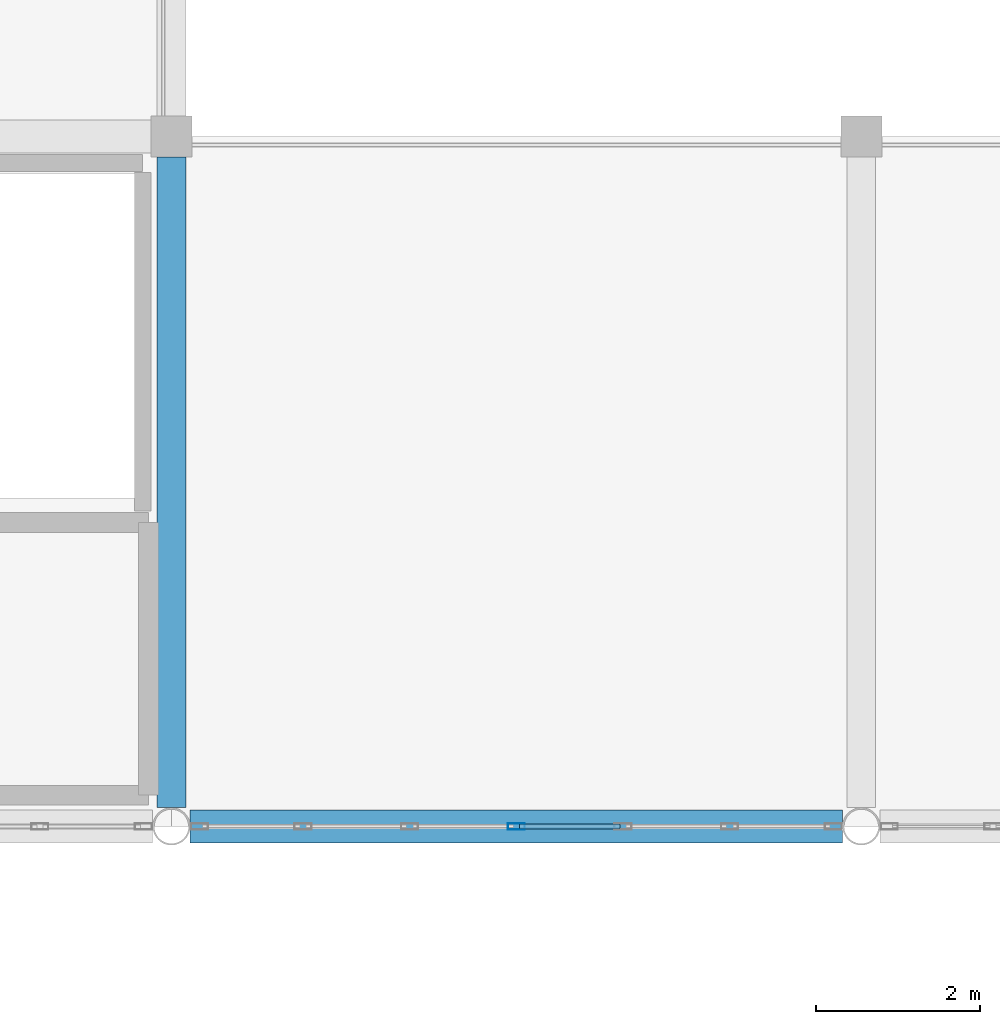
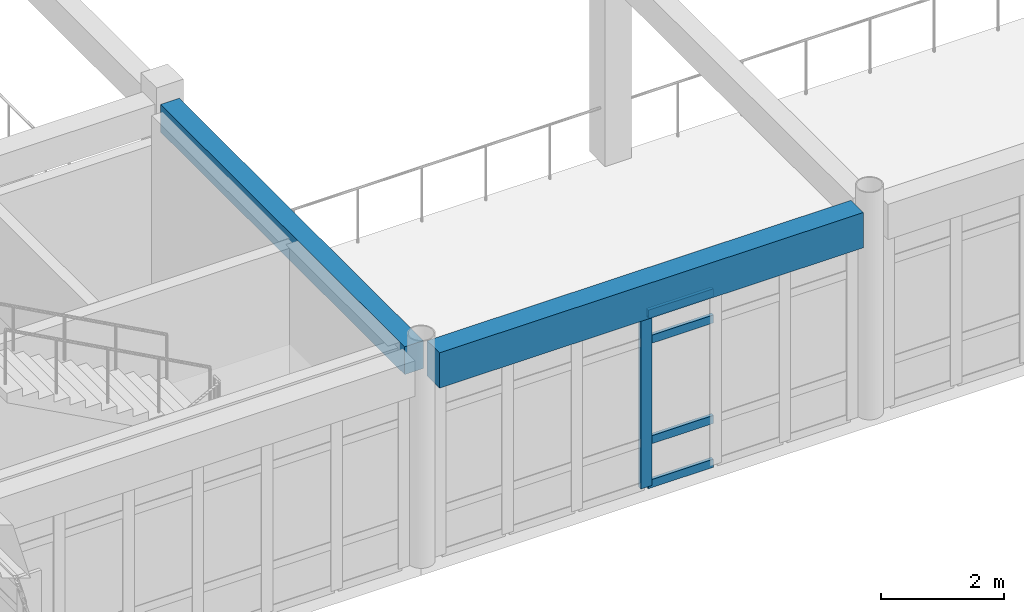
# One storey, part 16 of 144: 5 members, 2 beams, 1 element without a shape of its own.
"""IFC4 building model written with IfcOpenShell, lengths in metres."""

from ifc_helpers import new_model, si_unit, direction, frame, origin, origin_2d, place, context, subcontext, project, spatial, rectangle, hollow_rectangle, extrude, material, layer, layer_set, material_profile, profile_set, type_object, element, aggregate, save


model = new_model("IFC4")

# Units and contexts
model_context = context("Model", 3, precision=1e-05, world=origin(), true_north=direction((0.0, 1.0)))
body_context = subcontext(model_context, "Body", "Model", "MODEL_VIEW")
ifc_project = project(units=[si_unit("LENGTHUNIT", "METRE"), si_unit("AREAUNIT", "SQUARE_METRE"), si_unit("VOLUMEUNIT", "CUBIC_METRE"), si_unit("PLANEANGLEUNIT", "RADIAN"), si_unit("MASSUNIT", "GRAM", prefix="KILO")], contexts=[model_context])

# Site, building, storey
site_placement = place(None, origin())
site = spatial("IfcSite", under=ifc_project, at=site_placement, CompositionType="ELEMENT")
building_placement = place(site_placement, origin())
building = spatial("IfcBuilding", under=site, at=building_placement, Name="Bramfleet General Hospital", CompositionType="ELEMENT")
storey_placement = place(building_placement, frame((0.0, 0.0, 4.800048828125)))
storey = spatial("IfcBuildingStorey", under=building, at=storey_placement, Name="L01", CompositionType="ELEMENT", Elevation=4.800048828125)

# Beams
ifc_material_1 = material(Name="Concrete C35/45", Category="concrete")
ifc_material_profile_1 = material_profile(ifc_material_1, rectangle(XDim=0.35009765625, YDim=0.550048828125, at=origin_2d()), Name="RC BM 550x350")
ifc_profile_set_1 = profile_set([ifc_material_profile_1], Name="Concrete C35/45")
beam_type_1 = type_object("IfcBeamType", Name="BM-RC550", PredefinedType="BEAM", material=ifc_profile_set_1)
beam_1_placement = place(storey_placement, frame((58.800048828125, 17.028564453125, 3.875), z_axis=(0.0, 1.0, 0.0), x_axis=(-1.0, 0.0, 0.0)))
element("IfcBeam", 1, at=beam_1_placement, inside=storey, type_object=beam_type_1, Name="L01 Grid Beam Y 07-02", PredefinedType="BEAM", context=body_context, shape_type="SweptSolid", body=[
    extrude(rectangle(XDim=0.35009765625, YDim=0.550048828125, at=origin_2d()), origin(), (0.0, 0.0, 1.0), 7.92138671875),
])
ifc_material_profile_2 = material_profile(ifc_material_1, rectangle(XDim=0.39990234375, YDim=0.699951171875, at=origin_2d()), Name="RC SP 700x400")
ifc_profile_set_2 = profile_set([ifc_material_profile_2], Name="Concrete C35/45")
beam_type_2 = type_object("IfcBeamType", Name="BM-SP700", PredefinedType="SPANDREL", material=ifc_profile_set_2)
beam_2_placement = place(storey_placement, frame((59.028564453125, 16.800048828125, 3.800048828125), z_axis=(1.0, 0.0, 0.0), x_axis=(0.0, 1.0, 0.0)))
element("IfcBeam", 2, at=beam_2_placement, inside=storey, type_object=beam_type_2, Name="L01 Grid Beam X 07-02", PredefinedType="SPANDREL", context=body_context, shape_type="SweptSolid", body=[
    extrude(rectangle(XDim=0.39990234375, YDim=0.699951171875, at=origin_2d()), origin(), (0.0, 0.0, 1.0), 7.94287109375),
])

# Curtain wall, members
ifc_material_2 = material(Name="Anodised aluminium and low-E triple glazing", Category="aluminium")
ifc_layer = layer(ifc_material_2, 0.179931640625, Name="CWT-CW-10")
ifc_layer_set = layer_set([ifc_layer], Name="Anodised aluminium and low-E triple glazing")
curtain_wall_type = type_object("IfcCurtainWallType", Name="CWT-CW-10", PredefinedType="USERDEFINED", material=ifc_layer_set)
curtain_wall_placement = place(storey_placement, origin())
curtain_wall = element("IfcCurtainWall", 3, at=curtain_wall_placement, inside=storey, type_object=curtain_wall_type, Name="L01 Curtain Wall 82", ObjectType="Stick curtain wall", PredefinedType="USERDEFINED")
ifc_material_3 = material(Name="Anodised aluminium EN AW-6060", Category="aluminium")
ifc_material_profile_3 = material_profile(ifc_material_3, hollow_rectangle(XDim=0.074951171875, YDim=0.2099609375, WallThickness=0.00439453125, at=origin_2d()), Name="ALU 210x75x4.5")
ifc_profile_set_3 = profile_set([ifc_material_profile_3], Name="Anodised aluminium EN AW-6060")
member_type_1 = type_object("IfcMemberType", Name="CWM-ALU210", PredefinedType="MULLION", material=ifc_profile_set_3)
member_1_placement = place(storey_placement, frame((63.0, 16.800048828125, 0.0), z_axis=(0.0, 0.0, 1.0), x_axis=(0.0, -1.0, 0.0)))
member_1 = element("IfcMember", 4, at=member_1_placement, type_object=member_type_1, Name="CW-10 mullion 4", PredefinedType="MULLION", context=body_context, shape_type="SweptSolid", body=[
    extrude(hollow_rectangle(XDim=0.074951171875, YDim=0.2099609375, WallThickness=0.00439453125, at=origin_2d()), origin(), (0.0, 0.0, 1.0), 3.43994140625),
])
ifc_material_profile_4 = material_profile(ifc_material_3, hollow_rectangle(XDim=0.06494140625, YDim=0.159912109375, WallThickness=0.00390625, at=origin_2d()), Name="ALU 160x65x4.0")
ifc_profile_set_4 = profile_set([ifc_material_profile_4], Name="Anodised aluminium EN AW-6060")
member_type_2 = type_object("IfcMemberType", Name="CWT-ALU160", PredefinedType="USERDEFINED", material=ifc_profile_set_4)
member_2_placement = place(storey_placement, frame((64.261474609375, 16.800048828125, 0.032470703125), z_axis=(-1.0, 0.0, 0.0), x_axis=(0.0, -1.0, 0.0)))
member_2 = element("IfcMember", 5, at=member_2_placement, type_object=member_type_2, Name="CW-10 transom 3.1", ObjectType="TRANSOM", PredefinedType="USERDEFINED", context=body_context, shape_type="SweptSolid", body=[
    extrude(hollow_rectangle(XDim=0.06494140625, YDim=0.159912109375, WallThickness=0.00390625, at=origin_2d()), origin(), (0.0, 0.0, 1.0), 1.223876953125),
])
member_3_placement = place(storey_placement, frame((64.261474609375, 16.800048828125, 0.89990234375), z_axis=(-1.0, 0.0, 0.0), x_axis=(0.0, -1.0, 0.0)))
member_3 = element("IfcMember", 6, at=member_3_placement, type_object=member_type_2, Name="CW-10 transom 3.2", ObjectType="TRANSOM", PredefinedType="USERDEFINED", context=body_context, shape_type="SweptSolid", body=[
    extrude(hollow_rectangle(XDim=0.06494140625, YDim=0.159912109375, WallThickness=0.00390625, at=origin_2d()), origin(), (0.0, 0.0, 1.0), 1.223876953125),
])
member_4_placement = place(storey_placement, frame((64.261474609375, 16.800048828125, 2.889892578125), z_axis=(-1.0, 0.0, 0.0), x_axis=(0.0, -1.0, 0.0)))
member_4 = element("IfcMember", 7, at=member_4_placement, type_object=member_type_2, Name="CW-10 transom 3.3", ObjectType="TRANSOM", PredefinedType="USERDEFINED", context=body_context, shape_type="SweptSolid", body=[
    extrude(hollow_rectangle(XDim=0.06494140625, YDim=0.159912109375, WallThickness=0.00390625, at=origin_2d()), origin(), (0.0, 0.0, 1.0), 1.223876953125),
])
member_5_placement = place(storey_placement, frame((64.261474609375, 16.800048828125, 3.407470703125), z_axis=(-1.0, 0.0, 0.0), x_axis=(0.0, -1.0, 0.0)))
member_5 = element("IfcMember", 8, at=member_5_placement, type_object=member_type_2, Name="CW-10 transom 3.4", ObjectType="TRANSOM", PredefinedType="USERDEFINED", context=body_context, shape_type="SweptSolid", body=[
    extrude(hollow_rectangle(XDim=0.06494140625, YDim=0.159912109375, WallThickness=0.00390625, at=origin_2d()), origin(), (0.0, 0.0, 1.0), 1.223876953125),
])
aggregate(curtain_wall, [member_1, member_2, member_3, member_4, member_5])

save(model, "model.ifc")
